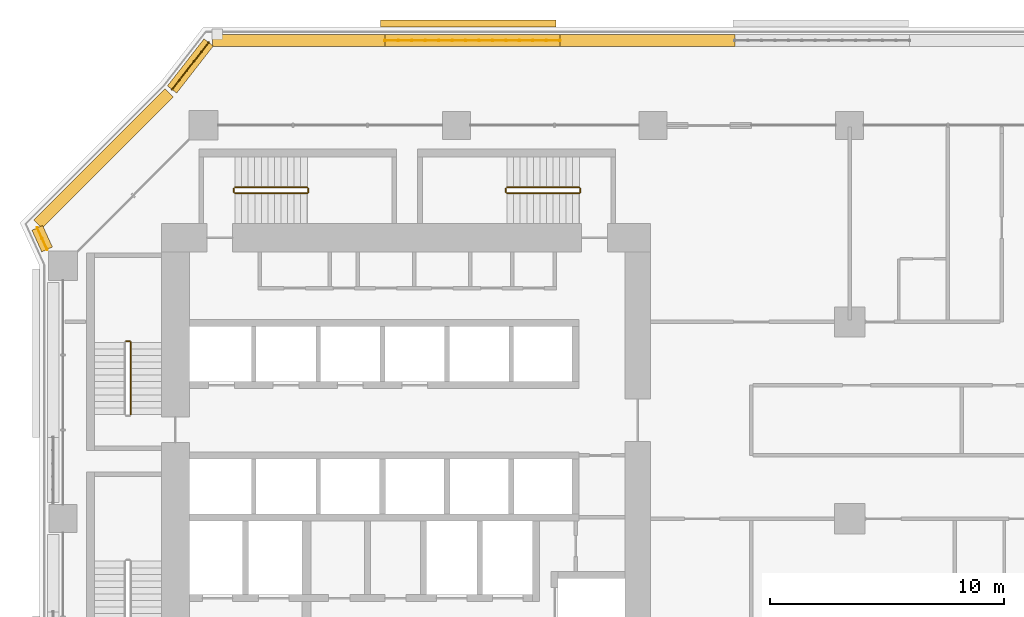
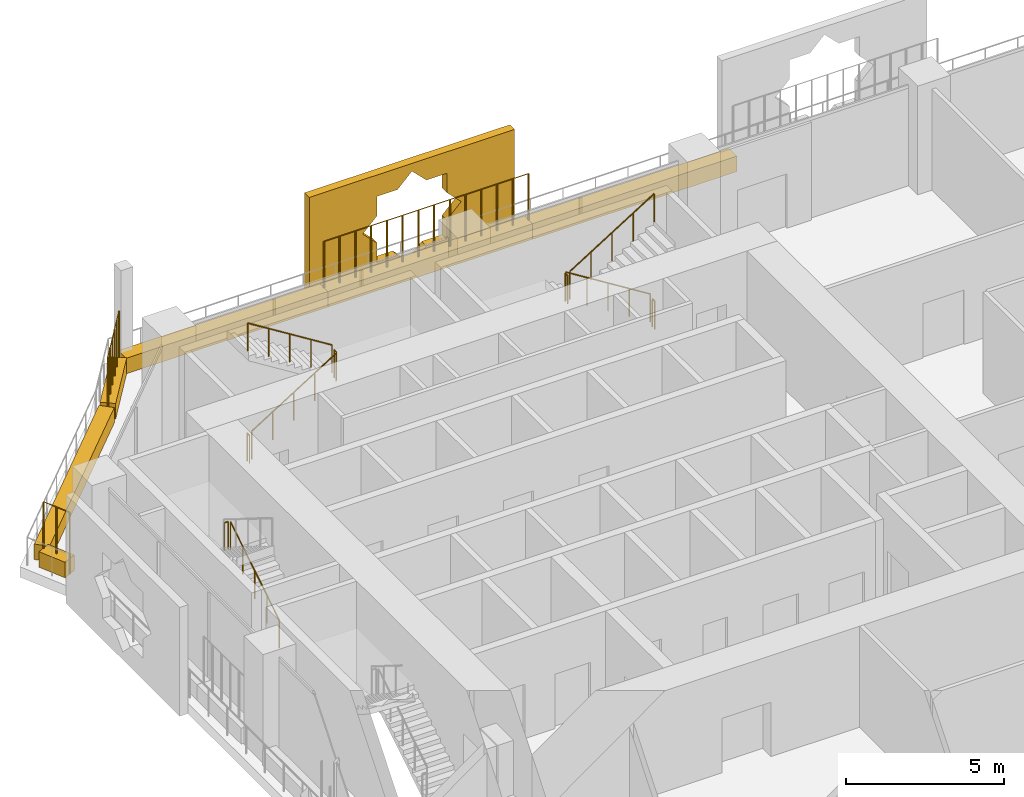
# One storey, part 26 of 28: 13 railings, 7 coverings.
"""IFC4 building model written with IfcOpenShell, lengths in metres."""

from ifc_helpers import new_model, si_unit, direction, frame, origin, origin_2d, place, context, subcontext, project, spatial, polyline, rectangle, circle, outline, extrude, material, material_profile, profile_set, type_object, element, save


model = new_model("IFC4")

# Units and contexts
model_context = context("Model", 3, precision=1e-05, world=origin(), true_north=direction((0.0, 1.0)))
body_context = subcontext(model_context, "Body", "Model", "MODEL_VIEW")
ifc_project = project(units=[si_unit("LENGTHUNIT", "METRE"), si_unit("AREAUNIT", "SQUARE_METRE"), si_unit("VOLUMEUNIT", "CUBIC_METRE"), si_unit("PLANEANGLEUNIT", "RADIAN"), si_unit("MASSUNIT", "GRAM", prefix="KILO")], contexts=[model_context])

# Site, building, storey
site_placement = place(None, origin())
site = spatial("IfcSite", under=ifc_project, at=site_placement, CompositionType="ELEMENT")
building_placement = place(site_placement, origin())
building = spatial("IfcBuilding", under=site, at=building_placement, Name="Kawkab Arch Medical Tower", CompositionType="ELEMENT")
storey_placement = place(building_placement, frame((0.0, 0.0, 68.60009765625)))
storey = spatial("IfcBuildingStorey", under=building, at=storey_placement, Name="L15", CompositionType="ELEMENT", Elevation=68.60009765625)

# Coverings
ifc_material_1 = material(Name="Bronze anodised aluminium mashrabiya panel, eight-point star pattern", Category="aluminium")
ifc_material_profile_1 = material_profile(ifc_material_1, outline(polyline([(-3.75, -2.10009765625), (3.75, -2.10009765625), (3.75, 2.10009765625), (-3.75, 2.10009765625), (-3.75, -2.10009765625)]), holes=[polyline([(1.800048828125, 0.0), (1.272705078125, 0.527099609375), (1.272705078125, 1.272705078125), (0.527099609375, 1.272705078125), (0.0, 1.800048828125), (-0.527099609375, 1.272705078125), (-1.272705078125, 1.272705078125), (-1.272705078125, 0.527099609375), (-1.800048828125, 0.0), (-1.272705078125, -0.527099609375), (-1.272705078125, -1.272705078125), (-0.527099609375, -1.272705078125), (0.0, -1.800048828125), (0.527099609375, -1.272705078125), (1.272705078125, -1.272705078125), (1.272705078125, -0.527099609375), (1.800048828125, 0.0)])]), Name="Mashrabiya panel 7500x4200")
ifc_profile_set_1 = profile_set([ifc_material_profile_1], Name="Bronze anodised aluminium mashrabiya panel, eight-point star pattern")
covering_type_1 = type_object("IfcCoveringType", Name="Mashrabiya panel 7500 x 4200", PredefinedType="USERDEFINED", material=ifc_profile_set_1)
covering_1_placement = place(storey_placement, frame((17.30322265625, 4.199951171875, 1.699951171875), z_axis=(0.0, 1.0, 0.0), x_axis=(-1.0, 0.0, 0.0)))
element("IfcCovering", 1, at=covering_1_placement, inside=storey, type_object=covering_type_1, Name="Mashrabiya panel L15.LOG-01-01.6", ObjectType="SCREEN", PredefinedType="USERDEFINED", context=body_context, shape_type="SweptSolid", body=[
    extrude(outline(polyline([(-3.75, -2.10009765625), (3.75, -2.10009765625), (3.75, 2.10009765625), (-3.75, 2.10009765625), (-3.75, -2.10009765625)]), holes=[polyline([(1.800048828125, 0.0), (1.272705078125, 0.527099609375), (1.272705078125, 1.272705078125), (0.527099609375, 1.272705078125), (0.0, 1.800048828125), (-0.527099609375, 1.272705078125), (-1.272705078125, 1.272705078125), (-1.272705078125, 0.527099609375), (-1.800048828125, 0.0), (-1.272705078125, -0.527099609375), (-1.272705078125, -1.272705078125), (-0.527099609375, -1.272705078125), (0.0, -1.800048828125), (0.527099609375, -1.272705078125), (1.272705078125, -1.272705078125), (1.272705078125, -0.527099609375), (1.800048828125, 0.0)])]), origin(), (0.0, 0.0, 1.0), 0.300048828125),
])
ifc_material_2 = material(Name="Planting soil in a precast trough", Category="concrete")
ifc_material_profile_2 = material_profile(ifc_material_2, rectangle(XDim=0.5, YDim=0.60009765625, at=origin_2d()), Name="Trough 500x600")
ifc_profile_set_2 = profile_set([ifc_material_profile_2], Name="Planting soil in a precast trough")
covering_type_2 = type_object("IfcCoveringType", Name="Planter trough 500 x 600", PredefinedType="USERDEFINED", material=ifc_profile_set_2)
covering_2_placement = place(storey_placement, frame((-0.680908203125, -5.302001953125, 0.2998046875), z_axis=(-0.415071571878, 0.909788761317, 0.0), x_axis=(-0.909788761317, -0.415071571878, 0.0)))
element("IfcCovering", 2, at=covering_2_placement, inside=storey, type_object=covering_type_2, Name="Planter L15.LOG-01-01.17", ObjectType="PLANTER", PredefinedType="USERDEFINED", context=body_context, shape_type="SweptSolid", body=[
    extrude(rectangle(XDim=0.5, YDim=0.60009765625, at=origin_2d()), origin(), (0.0, 0.0, 1.0), 1.0146484375),
])
covering_3_placement = place(storey_placement, frame((-1.072998046875, -4.217041015625, 0.2998046875), z_axis=(0.707106781187, 0.707106781187, 0.0), x_axis=(-0.707106781187, 0.707106781187, 0.0)))
element("IfcCovering", 3, at=covering_3_placement, inside=storey, type_object=covering_type_2, Name="Planter L15.LOG-01-01.18", ObjectType="PLANTER", PredefinedType="USERDEFINED", context=body_context, shape_type="SweptSolid", body=[
    extrude(rectangle(XDim=0.5, YDim=0.60009765625, at=origin_2d()), origin(), (0.0, 0.0, 1.0), 7.919677734375),
])
covering_4_placement = place(storey_placement, frame((4.658935546875, 1.531982421875, 0.2998046875), z_axis=(0.61404021143, 0.789274742246, 0.0), x_axis=(-0.789274742246, 0.61404021143, 0.0)))
element("IfcCovering", 4, at=covering_4_placement, inside=storey, type_object=covering_type_2, Name="Planter L15.LOG-01-01.19", ObjectType="PLANTER", PredefinedType="USERDEFINED", context=body_context, shape_type="SweptSolid", body=[
    extrude(rectangle(XDim=0.5, YDim=0.60009765625, at=origin_2d()), origin(), (0.0, 0.0, 1.0), 2.54541015625),
])
covering_5_placement = place(storey_placement, frame((6.384033203125, 3.6201171875, 0.2998046875), z_axis=(1.0, 0.0, 0.0), x_axis=(0.0, 1.0, 0.0)))
element("IfcCovering", 5, at=covering_5_placement, inside=storey, type_object=covering_type_2, Name="Planter L15.LOG-01-01.20", ObjectType="PLANTER", PredefinedType="USERDEFINED", context=body_context, shape_type="SweptSolid", body=[
    extrude(rectangle(XDim=0.5, YDim=0.60009765625, at=origin_2d()), origin(), (0.0, 0.0, 1.0), 7.369873046875),
])
covering_6_placement = place(storey_placement, frame((13.75390625, 3.6201171875, 0.2998046875), z_axis=(1.0, 0.0, 0.0), x_axis=(0.0, 1.0, 0.0)))
element("IfcCovering", 6, at=covering_6_placement, inside=storey, type_object=covering_type_2, Name="Planter L15.LOG-01-01.21", ObjectType="PLANTER", PredefinedType="USERDEFINED", context=body_context, shape_type="SweptSolid", body=[
    extrude(rectangle(XDim=0.5, YDim=0.60009765625, at=origin_2d()), origin(), (0.0, 0.0, 1.0), 7.47021484375),
])
covering_7_placement = place(storey_placement, frame((21.22412109375, 3.6201171875, 0.2998046875), z_axis=(1.0, 0.0, 0.0), x_axis=(0.0, 1.0, 0.0)))
element("IfcCovering", 7, at=covering_7_placement, inside=storey, type_object=covering_type_2, Name="Planter L15.LOG-01-01.22", ObjectType="PLANTER", PredefinedType="USERDEFINED", context=body_context, shape_type="SweptSolid", body=[
    extrude(rectangle(XDim=0.5, YDim=0.60009765625, at=origin_2d()), origin(), (0.0, 0.0, 1.0), 7.470947265625),
])

# Railings
ifc_material_3 = material(Name="Bronze anodised aluminium trellis for climbing plants", Category="aluminium")
railing_type_1 = type_object("IfcRailingType", Name="Planting trellis 2400", PredefinedType="USERDEFINED", material=ifc_material_3)
railing_1_placement = place(storey_placement, frame((-0.680908203125, -5.302001953125, 0.0)))
element("IfcRailing", 8, at=railing_1_placement, inside=storey, type_object=railing_type_1, Name="Planting trellis L15.LOG-01-01.17", ObjectType="TRELLIS", PredefinedType="USERDEFINED", context=body_context, shape_type="SweptSolid", body=[
    extrude(circle(Radius=0.01513671875, at=origin_2d()), frame((0.0, 0.0, 2.384765625), z_axis=(-0.415071571878, 0.909788761317, 0.0), x_axis=(-0.909788761317, -0.415071571878, 0.0)), (0.0, 0.0, 1.0), 1.0146484375),
    extrude(circle(Radius=0.030029296875, at=origin_2d()), origin(), (0.0, 0.0, 1.0), 2.369873046875),
    extrude(circle(Radius=0.030029296875, at=origin_2d()), frame((-0.21044921875, 0.46142578125, 0.0)), (0.0, 0.0, 1.0), 2.369873046875),
    extrude(circle(Radius=0.030029296875, at=origin_2d()), frame((-0.421142578125, 0.923095703125, 0.0)), (0.0, 0.0, 1.0), 2.369873046875),
])
railing_2_placement = place(storey_placement, frame((4.658935546875, 1.531982421875, 0.0)))
element("IfcRailing", 9, at=railing_2_placement, inside=storey, type_object=railing_type_1, Name="Planting trellis L15.LOG-01-01.19", ObjectType="TRELLIS", PredefinedType="USERDEFINED", context=body_context, shape_type="SweptSolid", body=[
    extrude(circle(Radius=0.01513671875, at=origin_2d()), frame((0.0, 0.0, 2.384765625), z_axis=(0.61404021143, 0.789274742246, 0.0), x_axis=(-0.789274742246, 0.61404021143, 0.0)), (0.0, 0.0, 1.0), 2.54541015625),
    extrude(circle(Radius=0.030029296875, at=origin_2d()), origin(), (0.0, 0.0, 1.0), 2.369873046875),
    extrude(circle(Radius=0.030029296875, at=origin_2d()), frame((0.3125, 0.40185546875, 0.0)), (0.0, 0.0, 1.0), 2.369873046875),
    extrude(circle(Radius=0.030029296875, at=origin_2d()), frame((0.625244140625, 0.8037109375, 0.0)), (0.0, 0.0, 1.0), 2.369873046875),
    extrude(circle(Radius=0.030029296875, at=origin_2d()), frame((0.937744140625, 1.205322265625, 0.0)), (0.0, 0.0, 1.0), 2.369873046875),
    extrude(circle(Radius=0.030029296875, at=origin_2d()), frame((1.25048828125, 1.607177734375, 0.0)), (0.0, 0.0, 1.0), 2.369873046875),
    extrude(circle(Radius=0.030029296875, at=origin_2d()), frame((1.56298828125, 2.009033203125, 0.0)), (0.0, 0.0, 1.0), 2.369873046875),
])
railing_3_placement = place(storey_placement, frame((13.75390625, 3.6201171875, 0.0)))
element("IfcRailing", 10, at=railing_3_placement, inside=storey, type_object=railing_type_1, Name="Planting trellis L15.LOG-01-01.21", ObjectType="TRELLIS", PredefinedType="USERDEFINED", context=body_context, shape_type="SweptSolid", body=[
    extrude(circle(Radius=0.01513671875, at=origin_2d()), frame((0.0, 0.0, 2.384765625), z_axis=(1.0, 0.0, 0.0), x_axis=(0.0, 1.0, 0.0)), (0.0, 0.0, 1.0), 7.47021484375),
    extrude(circle(Radius=0.030029296875, at=origin_2d()), origin(), (0.0, 0.0, 1.0), 2.369873046875),
    extrude(circle(Radius=0.030029296875, at=origin_2d()), frame((0.57470703125, 0.0, 0.0)), (0.0, 0.0, 1.0), 2.369873046875),
    extrude(circle(Radius=0.030029296875, at=origin_2d()), frame((1.149169921875, 0.0, 0.0)), (0.0, 0.0, 1.0), 2.369873046875),
    extrude(circle(Radius=0.030029296875, at=origin_2d()), frame((1.723876953125, 0.0, 0.0)), (0.0, 0.0, 1.0), 2.369873046875),
    extrude(circle(Radius=0.030029296875, at=origin_2d()), frame((2.298583984375, 0.0, 0.0)), (0.0, 0.0, 1.0), 2.369873046875),
    extrude(circle(Radius=0.030029296875, at=origin_2d()), frame((2.873046875, 0.0, 0.0)), (0.0, 0.0, 1.0), 2.369873046875),
    extrude(circle(Radius=0.030029296875, at=origin_2d()), frame((3.44775390625, 0.0, 0.0)), (0.0, 0.0, 1.0), 2.369873046875),
    extrude(circle(Radius=0.030029296875, at=origin_2d()), frame((4.0224609375, 0.0, 0.0)), (0.0, 0.0, 1.0), 2.369873046875),
    extrude(circle(Radius=0.030029296875, at=origin_2d()), frame((4.59716796875, 0.0, 0.0)), (0.0, 0.0, 1.0), 2.369873046875),
    extrude(circle(Radius=0.030029296875, at=origin_2d()), frame((5.171630859375, 0.0, 0.0)), (0.0, 0.0, 1.0), 2.369873046875),
    extrude(circle(Radius=0.030029296875, at=origin_2d()), frame((5.746337890625, 0.0, 0.0)), (0.0, 0.0, 1.0), 2.369873046875),
    extrude(circle(Radius=0.030029296875, at=origin_2d()), frame((6.321044921875, 0.0, 0.0)), (0.0, 0.0, 1.0), 2.369873046875),
    extrude(circle(Radius=0.030029296875, at=origin_2d()), frame((6.8955078125, 0.0, 0.0)), (0.0, 0.0, 1.0), 2.369873046875),
    extrude(circle(Radius=0.030029296875, at=origin_2d()), frame((7.47021484375, 0.0, 0.0)), (0.0, 0.0, 1.0), 2.369873046875),
])
ifc_material_4 = material(Name="Stainless steel", Category="steel")
railing_type_2 = type_object("IfcRailingType", Name="Stair guard 1100", PredefinedType="GUARDRAIL", material=ifc_material_4)
railing_4_placement = place(storey_placement, frame((2.89990234375, -12.35009765625, 0.1748046875)))
element("IfcRailing", 11, at=railing_4_placement, inside=storey, type_object=railing_type_2, Name="L15 ST1 stair guard 1", PredefinedType="GUARDRAIL", context=body_context, shape_type="SweptSolid", body=[
    extrude(circle(Radius=0.02392578125, at=origin_2d()), frame((0.0, 0.0, 1.076171875), z_axis=(0.0, 0.847998304005, 0.529998940003), x_axis=(-1.0, 0.0, 0.0)), (0.0, 0.0, 1.0), 3.632080078125),
    extrude(circle(Radius=0.02099609375, at=origin_2d()), origin(), (0.0, 0.0, 1.0), 1.052001953125),
    extrude(circle(Radius=0.02099609375, at=origin_2d()), frame((0.0, 0.77001953125, 0.481201171875)), (0.0, 0.0, 1.0), 1.052001953125),
    extrude(circle(Radius=0.02099609375, at=origin_2d()), frame((0.0, 1.5400390625, 0.96240234375)), (0.0, 0.0, 1.0), 1.052001953125),
    extrude(circle(Radius=0.02099609375, at=origin_2d()), frame((0.0, 2.31005859375, 1.44384765625)), (0.0, 0.0, 1.0), 1.052001953125),
    extrude(circle(Radius=0.02099609375, at=origin_2d()), frame((0.0, 3.080078125, 1.925048828125)), (0.0, 0.0, 1.0), 1.052001953125),
])
railing_5_placement = place(storey_placement, frame((2.85009765625, -9.219970703125, 2.099853515625)))
element("IfcRailing", 12, at=railing_5_placement, inside=storey, type_object=railing_type_2, Name="L15 ST1 stair guard 2", PredefinedType="GUARDRAIL", context=body_context, shape_type="SweptSolid", body=[
    extrude(circle(Radius=0.02392578125, at=origin_2d()), frame((0.0, 0.0, 1.076171875), z_axis=(-1.0, 0.0, 0.0), x_axis=(0.0, -1.0, 0.0)), (0.0, 0.0, 1.0), 0.150146484375),
    extrude(circle(Radius=0.02099609375, at=origin_2d()), origin(), (0.0, 0.0, 1.0), 1.052001953125),
    extrude(circle(Radius=0.02099609375, at=origin_2d()), frame((-0.150146484375, 0.0, 0.0)), (0.0, 0.0, 1.0), 1.052001953125),
])
railing_6_placement = place(storey_placement, frame((7.35009765625, -2.89990234375, 0.1748046875)))
element("IfcRailing", 13, at=railing_6_placement, inside=storey, type_object=railing_type_2, Name="L15 ST3 stair guard 1", PredefinedType="GUARDRAIL", context=body_context, shape_type="SweptSolid", body=[
    extrude(circle(Radius=0.02392578125, at=origin_2d()), frame((0.0, 0.0, 1.076171875), z_axis=(0.847979421464, 0.0, 0.530029150871), x_axis=(0.0, 1.0, 0.0)), (0.0, 0.0, 1.0), 3.632080078125),
    extrude(circle(Radius=0.02099609375, at=origin_2d()), origin(), (0.0, 0.0, 1.0), 1.052001953125),
    extrude(circle(Radius=0.02099609375, at=origin_2d()), frame((0.77001953125, 0.0, 0.481201171875)), (0.0, 0.0, 1.0), 1.052001953125),
    extrude(circle(Radius=0.02099609375, at=origin_2d()), frame((1.5400390625, 0.0, 0.96240234375)), (0.0, 0.0, 1.0), 1.052001953125),
    extrude(circle(Radius=0.02099609375, at=origin_2d()), frame((2.309814453125, 0.0, 1.44384765625)), (0.0, 0.0, 1.0), 1.052001953125),
    extrude(circle(Radius=0.02099609375, at=origin_2d()), frame((3.079833984375, 0.0, 1.925048828125)), (0.0, 0.0, 1.0), 1.052001953125),
])
railing_7_placement = place(storey_placement, frame((10.47998046875, -2.85009765625, 2.099853515625)))
element("IfcRailing", 14, at=railing_7_placement, inside=storey, type_object=railing_type_2, Name="L15 ST3 stair guard 2", PredefinedType="GUARDRAIL", context=body_context, shape_type="SweptSolid", body=[
    extrude(circle(Radius=0.02392578125, at=origin_2d()), frame((0.0, 0.0, 1.076171875), z_axis=(0.0, 1.0, 0.0), x_axis=(-1.0, 0.0, 0.0)), (0.0, 0.0, 1.0), 0.150146484375),
    extrude(circle(Radius=0.02099609375, at=origin_2d()), origin(), (0.0, 0.0, 1.0), 1.052001953125),
    extrude(circle(Radius=0.02099609375, at=origin_2d()), frame((0.0, 0.150146484375, 0.0)), (0.0, 0.0, 1.0), 1.052001953125),
])
railing_8_placement = place(storey_placement, frame((10.429931640625, -2.64990234375, 2.27490234375)))
element("IfcRailing", 15, at=railing_8_placement, inside=storey, type_object=railing_type_2, Name="L15 ST3 stair guard 3", PredefinedType="GUARDRAIL", context=body_context, shape_type="SweptSolid", body=[
    extrude(circle(Radius=0.02392578125, at=origin_2d()), frame((0.0, 0.0, 1.076171875), z_axis=(-0.847979421464, 0.0, 0.530029150871), x_axis=(0.0, -1.0, 0.0)), (0.0, 0.0, 1.0), 3.632080078125),
    extrude(circle(Radius=0.02099609375, at=origin_2d()), origin(), (0.0, 0.0, 1.0), 1.052001953125),
    extrude(circle(Radius=0.02099609375, at=origin_2d()), frame((-0.77001953125, 0.0, 0.481201171875)), (0.0, 0.0, 1.0), 1.052001953125),
    extrude(circle(Radius=0.02099609375, at=origin_2d()), frame((-1.5400390625, 0.0, 0.96240234375)), (0.0, 0.0, 1.0), 1.052001953125),
    extrude(circle(Radius=0.02099609375, at=origin_2d()), frame((-2.309814453125, 0.0, 1.44384765625)), (0.0, 0.0, 1.0), 1.052001953125),
    extrude(circle(Radius=0.02099609375, at=origin_2d()), frame((-3.079833984375, 0.0, 1.925048828125)), (0.0, 0.0, 1.0), 1.052001953125),
])
railing_9_placement = place(storey_placement, frame((7.300048828125, -2.85009765625, 0.0)))
element("IfcRailing", 16, at=railing_9_placement, inside=storey, type_object=railing_type_2, Name="L15 ST3 stair guard 4", PredefinedType="GUARDRAIL", context=body_context, shape_type="SweptSolid", body=[
    extrude(circle(Radius=0.02392578125, at=origin_2d()), frame((0.0, 0.0, 1.076171875), z_axis=(0.0, 1.0, 0.0), x_axis=(-1.0, 0.0, 0.0)), (0.0, 0.0, 1.0), 0.150146484375),
    extrude(circle(Radius=0.02099609375, at=origin_2d()), origin(), (0.0, 0.0, 1.0), 1.052001953125),
    extrude(circle(Radius=0.02099609375, at=origin_2d()), frame((0.0, 0.150146484375, 0.0)), (0.0, 0.0, 1.0), 1.052001953125),
])
railing_10_placement = place(storey_placement, frame((22.050048828125, -2.64990234375, 0.1748046875)))
element("IfcRailing", 17, at=railing_10_placement, inside=storey, type_object=railing_type_2, Name="L15 ST4 stair guard 1", PredefinedType="GUARDRAIL", context=body_context, shape_type="SweptSolid", body=[
    extrude(circle(Radius=0.02392578125, at=origin_2d()), frame((0.0, 0.0, 1.076171875), z_axis=(-0.847998304005, 0.0, 0.529998940003), x_axis=(0.0, -1.0, 0.0)), (0.0, 0.0, 1.0), 3.632080078125),
    extrude(circle(Radius=0.02099609375, at=origin_2d()), origin(), (0.0, 0.0, 1.0), 1.052001953125),
    extrude(circle(Radius=0.02099609375, at=origin_2d()), frame((-0.77001953125, 0.0, 0.481201171875)), (0.0, 0.0, 1.0), 1.052001953125),
    extrude(circle(Radius=0.02099609375, at=origin_2d()), frame((-1.5400390625, 0.0, 0.96240234375)), (0.0, 0.0, 1.0), 1.052001953125),
    extrude(circle(Radius=0.02099609375, at=origin_2d()), frame((-2.31005859375, 0.0, 1.44384765625)), (0.0, 0.0, 1.0), 1.052001953125),
    extrude(circle(Radius=0.02099609375, at=origin_2d()), frame((-3.080078125, 0.0, 1.925048828125)), (0.0, 0.0, 1.0), 1.052001953125),
])
railing_11_placement = place(storey_placement, frame((18.919921875, -2.699951171875, 2.099853515625)))
element("IfcRailing", 18, at=railing_11_placement, inside=storey, type_object=railing_type_2, Name="L15 ST4 stair guard 2", PredefinedType="GUARDRAIL", context=body_context, shape_type="SweptSolid", body=[
    extrude(circle(Radius=0.02392578125, at=origin_2d()), frame((0.0, 0.0, 1.076171875), z_axis=(0.0, -1.0, 0.0), x_axis=(1.0, 0.0, 0.0)), (0.0, 0.0, 1.0), 0.150146484375),
    extrude(circle(Radius=0.02099609375, at=origin_2d()), origin(), (0.0, 0.0, 1.0), 1.052001953125),
    extrude(circle(Radius=0.02099609375, at=origin_2d()), frame((0.0, -0.150146484375, 0.0)), (0.0, 0.0, 1.0), 1.052001953125),
])
railing_12_placement = place(storey_placement, frame((18.969970703125, -2.89990234375, 2.27490234375)))
element("IfcRailing", 19, at=railing_12_placement, inside=storey, type_object=railing_type_2, Name="L15 ST4 stair guard 3", PredefinedType="GUARDRAIL", context=body_context, shape_type="SweptSolid", body=[
    extrude(circle(Radius=0.02392578125, at=origin_2d()), frame((0.0, 0.0, 1.076171875), z_axis=(0.847998304005, 0.0, 0.529998940003), x_axis=(0.0, 1.0, 0.0)), (0.0, 0.0, 1.0), 3.632080078125),
    extrude(circle(Radius=0.02099609375, at=origin_2d()), origin(), (0.0, 0.0, 1.0), 1.052001953125),
    extrude(circle(Radius=0.02099609375, at=origin_2d()), frame((0.77001953125, 0.0, 0.481201171875)), (0.0, 0.0, 1.0), 1.052001953125),
    extrude(circle(Radius=0.02099609375, at=origin_2d()), frame((1.5400390625, 0.0, 0.96240234375)), (0.0, 0.0, 1.0), 1.052001953125),
    extrude(circle(Radius=0.02099609375, at=origin_2d()), frame((2.31005859375, 0.0, 1.44384765625)), (0.0, 0.0, 1.0), 1.052001953125),
    extrude(circle(Radius=0.02099609375, at=origin_2d()), frame((3.080078125, 0.0, 1.925048828125)), (0.0, 0.0, 1.0), 1.052001953125),
])
railing_13_placement = place(storey_placement, frame((22.10009765625, -2.699951171875, 0.0)))
element("IfcRailing", 20, at=railing_13_placement, inside=storey, type_object=railing_type_2, Name="L15 ST4 stair guard 4", PredefinedType="GUARDRAIL", context=body_context, shape_type="SweptSolid", body=[
    extrude(circle(Radius=0.02392578125, at=origin_2d()), frame((0.0, 0.0, 1.076171875), z_axis=(0.0, -1.0, 0.0), x_axis=(1.0, 0.0, 0.0)), (0.0, 0.0, 1.0), 0.150146484375),
    extrude(circle(Radius=0.02099609375, at=origin_2d()), origin(), (0.0, 0.0, 1.0), 1.052001953125),
    extrude(circle(Radius=0.02099609375, at=origin_2d()), frame((0.0, -0.150146484375, 0.0)), (0.0, 0.0, 1.0), 1.052001953125),
])

save(model, "model.ifc")
